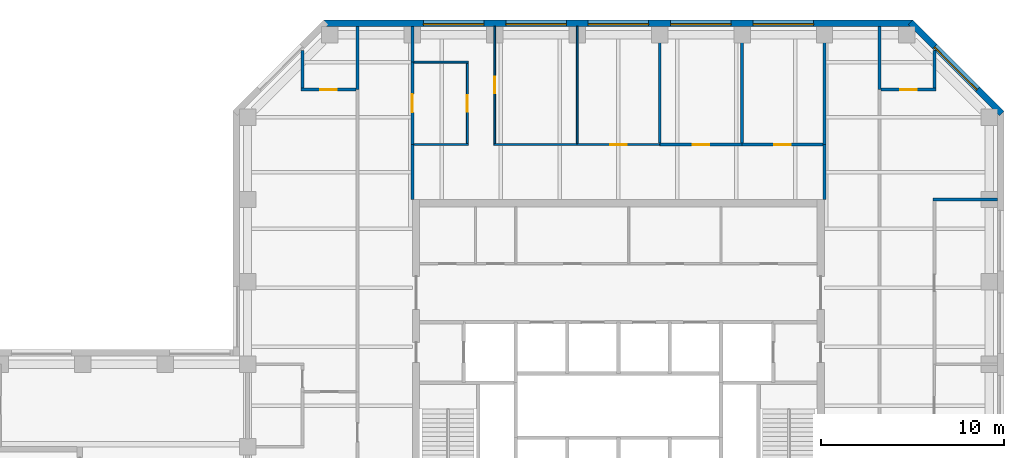
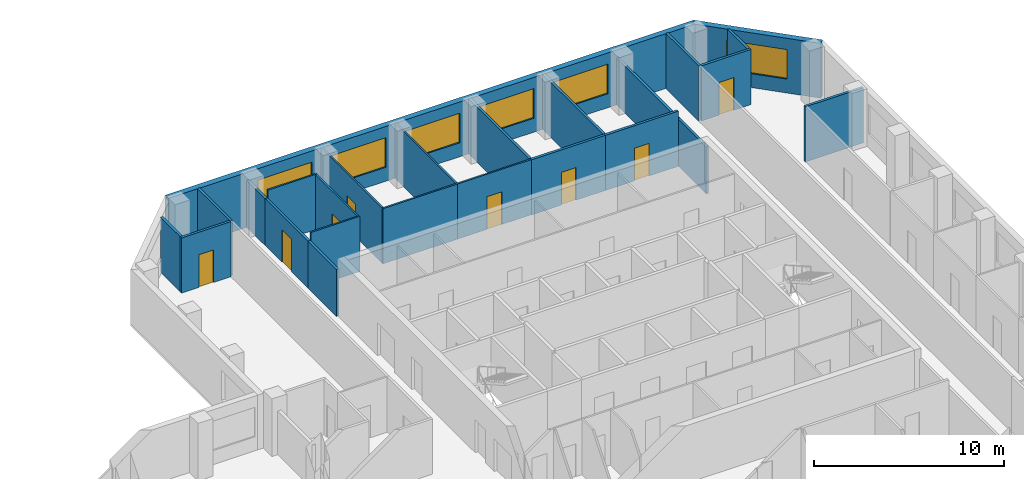
# One storey, part 7 of 9: 25 walls, 8 doors, 6 windows, 14 openings.
"""IFC4 building model written with IfcOpenShell, lengths in metres."""

from ifc_helpers import new_model, si_unit, direction, frame, frame_2d, origin, place, context, subcontext, project, spatial, rectangle, extrude, material, layer, layer_set, constituent, constituent_set, type_object, element, fill, save


model = new_model("IFC4")

# Units and contexts
model_context = context("Model", 3, precision=1e-05, world=origin(), true_north=direction((0.0, 1.0)))
body_context = subcontext(model_context, "Body", "Model", "MODEL_VIEW")
ifc_project = project(units=[si_unit("LENGTHUNIT", "METRE"), si_unit("AREAUNIT", "SQUARE_METRE"), si_unit("VOLUMEUNIT", "CUBIC_METRE"), si_unit("PLANEANGLEUNIT", "RADIAN"), si_unit("MASSUNIT", "GRAM", prefix="KILO")], contexts=[model_context])

# Site, building, storey
site_placement = place(None, origin())
site = spatial("IfcSite", under=ifc_project, at=site_placement, CompositionType="ELEMENT")
building_placement = place(site_placement, origin())
building = spatial("IfcBuilding", under=site, at=building_placement, Name="Quoin Convention Tower", CompositionType="ELEMENT")
storey_placement = place(building_placement, frame((0.0, 0.0, 147.699951171875)))
storey = spatial("IfcBuildingStorey", under=building, at=storey_placement, Name="L38", CompositionType="ELEMENT", Elevation=147.699951171875)

# Wall
ifc_material_1 = material(Name="Plasterboard")
ifc_layer_1 = layer(ifc_material_1, 0.012451171875, Name="Finish")
ifc_material_2 = material(Name="Steel stud framing", Category="steel")
ifc_layer_2 = layer(ifc_material_2, 0.125, Name="Structure")
ifc_layer_3 = layer(ifc_material_1, 0.012451171875, Name="Finish")
ifc_layer_set_1 = layer_set([ifc_layer_1, ifc_layer_2, ifc_layer_3], Name="Steel stud framing")
wall_type_1 = type_object("IfcWallType", Name="Acoustic partition 150", PredefinedType="PARTITIONING", material=ifc_layer_set_1)
wall_1_placement = place(storey_placement, frame((73.425048828125, 72.0, 0.0), z_axis=(0.0, 0.0, 1.0), x_axis=(1.0, 0.0, 0.0)))
element("IfcWall", 1, at=wall_1_placement, inside=storey, type_object=wall_type_1, Name="pw-L38-030", PredefinedType="PARTITIONING", context=body_context, shape_type="SweptSolid", body=[
    extrude(rectangle(XDim=3.52490234375, YDim=0.14990234375, at=frame_2d((1.762451171875, 0.0))), origin(), (0.0, 0.0, 1.0), 3.550048828125),
])

# Wall, opening, door
wall_2_placement = place(storey_placement, frame((58.5, 75.0, 0.0), z_axis=(0.0, 0.0, 1.0), x_axis=(1.0, 0.0, 0.0)))
wall_2 = element("IfcWall", 2, at=wall_2_placement, inside=storey, type_object=wall_type_1, Name="pw-L38-034", PredefinedType="PARTITIONING", context=body_context, shape_type="SweptSolid", body=[
    extrude(rectangle(XDim=4.5, YDim=0.14990234375, at=frame_2d((2.25, 0.0))), origin(), (0.0, 0.0, 1.0), 3.550048828125),
])
opening_1_placement = place(wall_2_placement, frame((1.800048828125, 0.0, 0.0)))
opening_1 = element("IfcOpeningElement", 3, at=opening_1_placement, cuts=wall_2, Name="Opening DOH1-08", PredefinedType="OPENING", context=body_context, shape_type="SweptSolid", body=[
    extrude(rectangle(XDim=0.89990234375, YDim=2.10009765625, at=frame_2d((0.449951171875, 1.050048828125))), frame((0.0, 0.0849609375, 0.0), z_axis=(0.0, -1.0, 0.0), x_axis=(1.0, 0.0, 0.0)), (0.0, 0.0, 1.0), 0.169921875),
])
ifc_material_3 = material(Name="Steel door leaf", Category="steel")
door_type_1 = type_object("IfcDoorType", Name="Office door 900 x 2100", OperationType="SINGLE_SWING_RIGHT", PredefinedType="DOOR", material=ifc_material_3)
door_1_placement = place(opening_1_placement, frame((0.89990234375, 0.0, 0.0), z_axis=(0.0, 0.0, 1.0), x_axis=(-1.0, 0.0, 0.0)))
door_1 = element("IfcDoor", 4, at=door_1_placement, inside=storey, type_object=door_type_1, Name="dr-L38-26", OperationType="SINGLE_SWING_LEFT", OverallHeight=2.10009765625, OverallWidth=0.89990234375, PredefinedType="DOOR", context=body_context, shape_type="SweptSolid", body=[
    extrude(rectangle(XDim=0.89990234375, YDim=2.10009765625, at=frame_2d((0.449951171875, 1.050048828125))), frame((0.0, 0.02490234375, 0.0), z_axis=(0.0, -1.0, 0.0), x_axis=(1.0, 0.0, 0.0)), (0.0, 0.0, 1.0), 0.050048828125),
])
fill(opening_1, door_1)

wall_3_placement = place(storey_placement, frame((63.0, 75.0, 0.0), z_axis=(0.0, 0.0, 1.0), x_axis=(1.0, 0.0, 0.0)))
wall_3 = element("IfcWall", 5, at=wall_3_placement, inside=storey, type_object=wall_type_1, Name="pw-L38-035", PredefinedType="PARTITIONING", context=body_context, shape_type="SweptSolid", body=[
    extrude(rectangle(XDim=4.425048828125, YDim=0.14990234375, at=frame_2d((2.21240234375, 0.0))), origin(), (0.0, 0.0, 1.0), 3.550048828125),
])
opening_2_placement = place(wall_3_placement, frame((1.75, 0.0, 0.0)))
opening_2 = element("IfcOpeningElement", 6, at=opening_2_placement, cuts=wall_3, Name="Opening DOH1-09", PredefinedType="OPENING", context=body_context, shape_type="SweptSolid", body=[
    extrude(rectangle(XDim=0.89990234375, YDim=2.10009765625, at=frame_2d((0.449951171875, 1.050048828125))), frame((0.0, 0.0849609375, 0.0), z_axis=(0.0, -1.0, 0.0), x_axis=(1.0, 0.0, 0.0)), (0.0, 0.0, 1.0), 0.169921875),
])
door_2_placement = place(opening_2_placement, frame((0.89990234375, 0.0, 0.0), z_axis=(0.0, 0.0, 1.0), x_axis=(-1.0, 0.0, 0.0)))
door_2 = element("IfcDoor", 7, at=door_2_placement, inside=storey, type_object=door_type_1, Name="dr-L38-27", OperationType="SINGLE_SWING_LEFT", OverallHeight=2.10009765625, OverallWidth=0.89990234375, PredefinedType="DOOR", context=body_context, shape_type="SweptSolid", body=[
    extrude(rectangle(XDim=0.89990234375, YDim=2.10009765625, at=frame_2d((0.449951171875, 1.050048828125))), frame((0.0, 0.02490234375, 0.0), z_axis=(0.0, -1.0, 0.0), x_axis=(1.0, 0.0, 0.0)), (0.0, 0.0, 1.0), 0.050048828125),
])
fill(opening_2, door_2)

# Walls
for number, where, z_axis, x_axis, name in (
    (8, (58.5, 75.074951171875, 0.0), (0.0, 0.0, 1.0), (0.0, 1.0, 0.0), "pw-L38-085"),
    (9, (63.0, 75.074951171875, 0.0), (0.0, 0.0, 1.0), (0.0, 1.0, 0.0), "pw-L38-086"),
):
    element("IfcWall", number, at=place(storey_placement, frame(where, z_axis=z_axis, x_axis=x_axis)), inside=storey, type_object=wall_type_1, Name=name, PredefinedType="PARTITIONING", context=body_context, shape_type="SweptSolid", body=[
        extrude(rectangle(XDim=6.375, YDim=0.14990234375, at=frame_2d((3.1875, 0.0))), origin(), (0.0, 0.0, 1.0), 3.550048828125),
    ])

# Wall, opening, window
ifc_material_4 = material(Name="Brick masonry", Category="masonry")
ifc_layer_4 = layer(ifc_material_4, 0.35009765625)
ifc_layer_set_2 = layer_set([ifc_layer_4], Name="Brick masonry")
wall_type_2 = type_object("IfcWallType", Name="Brick facade wall", PredefinedType="STANDARD", material=ifc_layer_set_2)
wall_4_placement = place(storey_placement, frame((77.17626953125, 76.70751953125, 0.0), z_axis=(0.0, 0.0, 1.0), x_axis=(-0.707106781187, 0.707106781187, 0.0)))
wall_4 = element("IfcWall", 10, at=wall_4_placement, inside=storey, type_object=wall_type_2, Name="fw-L38-76500_76500", PredefinedType="STANDARD", context=body_context, shape_type="SweptSolid", body=[
    extrude(rectangle(XDim=7.02685546875, YDim=0.35009765625, at=frame_2d((3.513427734375, 0.0))), origin(), (0.0, 0.0, 1.0), 3.525146484375),
])
opening_3_placement = place(wall_4_placement, frame((1.86328125, 0.0, 0.89990234375)))
opening_3 = element("IfcOpeningElement", 11, at=opening_3_placement, cuts=wall_4, Name="Opening W-02", PredefinedType="OPENING", context=body_context, shape_type="SweptSolid", body=[
    extrude(rectangle(XDim=3.300048828125, YDim=1.89990234375, at=frame_2d((1.64990234375, 0.949951171875))), frame((0.0, 0.18505859375, 0.0), z_axis=(0.0, -1.0, 0.0), x_axis=(1.0, 0.0, 0.0)), (0.0, 0.0, 1.0), 0.3701171875),
])
ifc_material_5 = material(Name="Aluminium", Category="aluminium")
ifc_constituent_1 = constituent(ifc_material_5, Name="Frame")
ifc_material_6 = material(Name="Insulated glass", Category="glass")
ifc_constituent_2 = constituent(ifc_material_6, Name="Glazing")
ifc_constituent_set = constituent_set(constituents=[ifc_constituent_1, ifc_constituent_2], Name="Aluminium")
window_type = type_object("IfcWindowType", Name="Office window", PartitioningType="DOUBLE_PANEL_VERTICAL", PredefinedType="WINDOW", material=ifc_constituent_set)
window_1_placement = place(opening_3_placement, origin())
window_1 = element("IfcWindow", 12, at=window_1_placement, inside=storey, type_object=window_type, Name="win-L38-74692_79192", OverallHeight=1.89990234375, OverallWidth=3.300048828125, PartitioningType="SINGLE_PANEL", PredefinedType="WINDOW", context=body_context, shape_type="SweptSolid", body=[
    extrude(rectangle(XDim=3.300048828125, YDim=1.89990234375, at=frame_2d((1.64990234375, 0.949951171875))), frame((0.0, 0.0849609375, 0.0), z_axis=(0.0, -1.0, 0.0), x_axis=(1.0, 0.0, 0.0)), (0.0, 0.0, 1.0), 0.06005859375),
])
fill(opening_3, window_1)

# Wall, openings, windows
wall_5_placement = place(storey_placement, frame((72.331298828125, 81.625, 0.0), z_axis=(0.0, 0.0, 1.0), x_axis=(-1.0, 0.0, 0.0)))
wall_5 = element("IfcWall", 13, at=wall_5_placement, inside=storey, type_object=wall_type_2, Name="fw-L38-72000_81000", PredefinedType="STANDARD", context=body_context, shape_type="SweptSolid", body=[
    extrude(rectangle(XDim=32.16259765625, YDim=0.35009765625, at=frame_2d((16.081298828125, 0.0))), origin(), (0.0, 0.0, 1.0), 3.525146484375),
])
opening_4_placement = place(wall_5_placement, frame((5.431396484375, 0.0, 0.89990234375)))
opening_4 = element("IfcOpeningElement", 14, at=opening_4_placement, cuts=wall_5, Name="Opening W-02", PredefinedType="OPENING", context=body_context, shape_type="SweptSolid", body=[
    extrude(rectangle(XDim=3.300048828125, YDim=1.89990234375, at=frame_2d((1.64990234375, 0.949951171875))), frame((0.0, 0.18505859375, 0.0), z_axis=(0.0, -1.0, 0.0), x_axis=(1.0, 0.0, 0.0)), (0.0, 0.0, 1.0), 0.3701171875),
])
opening_5_placement = place(wall_5_placement, frame((9.931396484375, 0.0, 0.89990234375)))
opening_5 = element("IfcOpeningElement", 15, at=opening_5_placement, cuts=wall_5, Name="Opening W-02", PredefinedType="OPENING", context=body_context, shape_type="SweptSolid", body=[
    extrude(rectangle(XDim=3.300048828125, YDim=1.89990234375, at=frame_2d((1.64990234375, 0.949951171875))), frame((0.0, 0.18505859375, 0.0), z_axis=(0.0, -1.0, 0.0), x_axis=(1.0, 0.0, 0.0)), (0.0, 0.0, 1.0), 0.3701171875),
])
opening_6_placement = place(wall_5_placement, frame((14.431396484375, 0.0, 0.89990234375)))
opening_6 = element("IfcOpeningElement", 16, at=opening_6_placement, cuts=wall_5, Name="Opening W-02", PredefinedType="OPENING", context=body_context, shape_type="SweptSolid", body=[
    extrude(rectangle(XDim=3.300048828125, YDim=1.89990234375, at=frame_2d((1.64990234375, 0.949951171875))), frame((0.0, 0.18505859375, 0.0), z_axis=(0.0, -1.0, 0.0), x_axis=(1.0, 0.0, 0.0)), (0.0, 0.0, 1.0), 0.3701171875),
])
opening_7_placement = place(wall_5_placement, frame((18.931396484375, 0.0, 0.89990234375)))
opening_7 = element("IfcOpeningElement", 17, at=opening_7_placement, cuts=wall_5, Name="Opening W-02", PredefinedType="OPENING", context=body_context, shape_type="SweptSolid", body=[
    extrude(rectangle(XDim=3.300048828125, YDim=1.89990234375, at=frame_2d((1.64990234375, 0.949951171875))), frame((0.0, 0.18505859375, 0.0), z_axis=(0.0, -1.0, 0.0), x_axis=(1.0, 0.0, 0.0)), (0.0, 0.0, 1.0), 0.3701171875),
])
opening_8_placement = place(wall_5_placement, frame((23.431396484375, 0.0, 0.89990234375)))
opening_8 = element("IfcOpeningElement", 18, at=opening_8_placement, cuts=wall_5, Name="Opening W-02", PredefinedType="OPENING", context=body_context, shape_type="SweptSolid", body=[
    extrude(rectangle(XDim=3.300048828125, YDim=1.89990234375, at=frame_2d((1.64990234375, 0.949951171875))), frame((0.0, 0.18505859375, 0.0), z_axis=(0.0, -1.0, 0.0), x_axis=(1.0, 0.0, 0.0)), (0.0, 0.0, 1.0), 0.3701171875),
])
window_2_placement = place(opening_4_placement, origin())
window_2 = element("IfcWindow", 19, at=window_2_placement, inside=storey, type_object=window_type, Name="win-L38-65250_81625", OverallHeight=1.89990234375, OverallWidth=3.300048828125, PartitioningType="SINGLE_PANEL", PredefinedType="WINDOW", context=body_context, shape_type="SweptSolid", body=[
    extrude(rectangle(XDim=3.300048828125, YDim=1.89990234375, at=frame_2d((1.64990234375, 0.949951171875))), frame((0.0, 0.0849609375, 0.0), z_axis=(0.0, -1.0, 0.0), x_axis=(1.0, 0.0, 0.0)), (0.0, 0.0, 1.0), 0.06005859375),
])
fill(opening_4, window_2)
window_3_placement = place(opening_5_placement, origin())
window_3 = element("IfcWindow", 20, at=window_3_placement, inside=storey, type_object=window_type, Name="win-L38-60750_81625", OverallHeight=1.89990234375, OverallWidth=3.300048828125, PartitioningType="SINGLE_PANEL", PredefinedType="WINDOW", context=body_context, shape_type="SweptSolid", body=[
    extrude(rectangle(XDim=3.300048828125, YDim=1.89990234375, at=frame_2d((1.64990234375, 0.949951171875))), frame((0.0, 0.0849609375, 0.0), z_axis=(0.0, -1.0, 0.0), x_axis=(1.0, 0.0, 0.0)), (0.0, 0.0, 1.0), 0.06005859375),
])
fill(opening_5, window_3)
window_4_placement = place(opening_6_placement, origin())
window_4 = element("IfcWindow", 21, at=window_4_placement, inside=storey, type_object=window_type, Name="win-L38-56250_81625", OverallHeight=1.89990234375, OverallWidth=3.300048828125, PartitioningType="SINGLE_PANEL", PredefinedType="WINDOW", context=body_context, shape_type="SweptSolid", body=[
    extrude(rectangle(XDim=3.300048828125, YDim=1.89990234375, at=frame_2d((1.64990234375, 0.949951171875))), frame((0.0, 0.0849609375, 0.0), z_axis=(0.0, -1.0, 0.0), x_axis=(1.0, 0.0, 0.0)), (0.0, 0.0, 1.0), 0.06005859375),
])
fill(opening_6, window_4)
window_5_placement = place(opening_7_placement, origin())
window_5 = element("IfcWindow", 22, at=window_5_placement, inside=storey, type_object=window_type, Name="win-L38-51750_81625", OverallHeight=1.89990234375, OverallWidth=3.300048828125, PartitioningType="SINGLE_PANEL", PredefinedType="WINDOW", context=body_context, shape_type="SweptSolid", body=[
    extrude(rectangle(XDim=3.300048828125, YDim=1.89990234375, at=frame_2d((1.64990234375, 0.949951171875))), frame((0.0, 0.0849609375, 0.0), z_axis=(0.0, -1.0, 0.0), x_axis=(1.0, 0.0, 0.0)), (0.0, 0.0, 1.0), 0.06005859375),
])
fill(opening_7, window_5)
window_6_placement = place(opening_8_placement, origin())
window_6 = element("IfcWindow", 23, at=window_6_placement, inside=storey, type_object=window_type, Name="win-L38-47250_81625", OverallHeight=1.89990234375, OverallWidth=3.300048828125, PartitioningType="SINGLE_PANEL", PredefinedType="WINDOW", context=body_context, shape_type="SweptSolid", body=[
    extrude(rectangle(XDim=3.300048828125, YDim=1.89990234375, at=frame_2d((1.64990234375, 0.949951171875))), frame((0.0, 0.0849609375, 0.0), z_axis=(0.0, -1.0, 0.0), x_axis=(1.0, 0.0, 0.0)), (0.0, 0.0, 1.0), 0.06005859375),
])
fill(opening_8, window_6)

# Walls
ifc_layer_5 = layer(ifc_material_1, 0.012451171875, Name="Finish")
ifc_layer_6 = layer(ifc_material_2, 0.125, Name="Structure")
ifc_layer_7 = layer(ifc_material_1, 0.012451171875, Name="Finish")
ifc_layer_set_3 = layer_set([ifc_layer_5, ifc_layer_6, ifc_layer_7], Name="Steel stud framing")
wall_type_3 = type_object("IfcWallType", Name="Corridor wall 150", PredefinedType="PARTITIONING", material=ifc_layer_set_3)
for number, where, z_axis, x_axis, name in (
    (24, (42.0, 78.0, 0.0), (0.0, 0.0, 1.0), (0.0, 1.0, 0.0), "pw-L38-087"),
    (25, (70.5, 78.0, 0.0), (0.0, 0.0, 1.0), (0.0, 1.0, 0.0), "pw-L38-088"),
):
    element("IfcWall", number, at=place(storey_placement, frame(where, z_axis=z_axis, x_axis=x_axis)), inside=storey, type_object=wall_type_3, Name=name, PredefinedType="PARTITIONING", context=body_context, shape_type="SweptSolid", body=[
        extrude(rectangle(XDim=3.449951171875, YDim=0.14990234375, at=frame_2d((1.72509765625, 0.0))), origin(), (0.0, 0.0, 1.0), 3.550048828125),
    ])
ifc_layer_8 = layer(ifc_material_1, 0.012451171875, Name="Finish")
ifc_layer_9 = layer(ifc_material_2, 0.125, Name="Structure")
ifc_layer_10 = layer(ifc_material_1, 0.012451171875, Name="Finish")
ifc_layer_set_4 = layer_set([ifc_layer_8, ifc_layer_9, ifc_layer_10], Name="Steel stud framing")
wall_type_4 = type_object("IfcWallType", Name="Corridor wall 150 under beam 528", PredefinedType="PARTITIONING", material=ifc_layer_set_4)
for number, where, z_axis, x_axis, name in (
    (26, (45.0, 72.0, 0.0), (0.0, 0.0, 1.0), (0.0, 1.0, 0.0), "pw-L38-078"),
    (27, (67.5, 72.0, 0.0), (0.0, 0.0, 1.0), (0.0, 1.0, 0.0), "pw-L38-079"),
):
    element("IfcWall", number, at=place(storey_placement, frame(where, z_axis=z_axis, x_axis=x_axis)), inside=storey, type_object=wall_type_4, Name=name, PredefinedType="PARTITIONING", context=body_context, shape_type="SweptSolid", body=[
        extrude(rectangle(XDim=3.0, YDim=0.14990234375, at=frame_2d((1.5, 0.0))), origin(), (0.0, 0.0, 1.0), 3.02197265625),
    ])

# Wall, opening, door
wall_6_placement = place(storey_placement, frame((45.0, 75.0, 0.0), z_axis=(0.0, 0.0, 1.0), x_axis=(0.0, 1.0, 0.0)))
wall_6 = element("IfcWall", 28, at=wall_6_placement, inside=storey, type_object=wall_type_4, Name="pw-L38-080", PredefinedType="PARTITIONING", context=body_context, shape_type="SweptSolid", body=[
    extrude(rectangle(XDim=4.5, YDim=0.14990234375, at=frame_2d((2.25, 0.0))), origin(), (0.0, 0.0, 1.0), 3.02197265625),
])
opening_9_placement = place(wall_6_placement, frame((1.75, 0.0, 0.0)))
opening_9 = element("IfcOpeningElement", 29, at=opening_9_placement, cuts=wall_6, Name="Opening DOH1-24", PredefinedType="OPENING", context=body_context, shape_type="SweptSolid", body=[
    extrude(rectangle(XDim=1.0, YDim=2.10009765625, at=frame_2d((0.5, 1.050048828125))), frame((0.0, 0.0849609375, 0.0), z_axis=(0.0, -1.0, 0.0), x_axis=(1.0, 0.0, 0.0)), (0.0, 0.0, 1.0), 0.169921875),
])
door_type_2 = type_object("IfcDoorType", Name="Tenancy entrance door 1000 x 2100", OperationType="DOUBLE_DOOR_SINGLE_SWING", PredefinedType="DOOR", material=ifc_material_3)
door_3_placement = place(opening_9_placement, frame((1.0, 0.0, 0.0), z_axis=(0.0, 0.0, 1.0), x_axis=(-1.0, 0.0, 0.0)))
door_3 = element("IfcDoor", 30, at=door_3_placement, inside=storey, type_object=door_type_2, Name="dr-L38-22", OperationType="DOUBLE_DOOR_SINGLE_SWING", OverallHeight=2.10009765625, OverallWidth=1.0, PredefinedType="DOOR", context=body_context, shape_type="SweptSolid", body=[
    extrude(rectangle(XDim=1.0, YDim=2.10009765625, at=frame_2d((0.5, 1.050048828125))), frame((0.0, 0.02490234375, 0.0), z_axis=(0.0, -1.0, 0.0), x_axis=(1.0, 0.0, 0.0)), (0.0, 0.0, 1.0), 0.050048828125),
])
fill(opening_9, door_3)

# Walls
wall_7_placement = place(storey_placement, frame((67.5, 75.0, 0.0), z_axis=(0.0, 0.0, 1.0), x_axis=(0.0, 1.0, 0.0)))
element("IfcWall", 31, at=wall_7_placement, inside=storey, type_object=wall_type_4, Name="pw-L38-081", PredefinedType="PARTITIONING", context=body_context, shape_type="SweptSolid", body=[
    extrude(rectangle(XDim=6.449951171875, YDim=0.14990234375, at=frame_2d((3.22509765625, 0.0))), origin(), (0.0, 0.0, 1.0), 3.02197265625),
])
wall_8_placement = place(storey_placement, frame((45.0, 79.5, 0.0), z_axis=(0.0, 0.0, 1.0), x_axis=(0.0, 1.0, 0.0)))
element("IfcWall", 32, at=wall_8_placement, inside=storey, type_object=wall_type_4, Name="pw-L38-091", PredefinedType="PARTITIONING", context=body_context, shape_type="SweptSolid", body=[
    extrude(rectangle(XDim=1.949951171875, YDim=0.14990234375, at=frame_2d((0.97509765625, 0.0))), origin(), (0.0, 0.0, 1.0), 3.02197265625),
])
ifc_layer_11 = layer(ifc_material_1, 0.012451171875, Name="Finish")
ifc_layer_12 = layer(ifc_material_2, 0.074951171875, Name="Structure")
ifc_layer_13 = layer(ifc_material_1, 0.012451171875, Name="Finish")
ifc_layer_set_5 = layer_set([ifc_layer_11, ifc_layer_12, ifc_layer_13], Name="Steel stud framing")
wall_type_5 = type_object("IfcWallType", Name="Stud partition 100", PredefinedType="PARTITIONING", material=ifc_layer_set_5)
wall_9_placement = place(storey_placement, frame((45.074951171875, 75.0, 0.0), z_axis=(0.0, 0.0, 1.0), x_axis=(1.0, 0.0, 0.0)))
element("IfcWall", 33, at=wall_9_placement, inside=storey, type_object=wall_type_5, Name="pw-L38-031", PredefinedType="PARTITIONING", context=body_context, shape_type="SweptSolid", body=[
    extrude(rectangle(XDim=2.97509765625, YDim=0.10009765625, at=frame_2d((1.487548828125, 0.0))), origin(), (0.0, 0.0, 1.0), 3.550048828125),
])
wall_10_placement = place(storey_placement, frame((49.449951171875, 75.0, 0.0), z_axis=(0.0, 0.0, 1.0), x_axis=(1.0, 0.0, 0.0)))
element("IfcWall", 34, at=wall_10_placement, inside=storey, type_object=wall_type_5, Name="pw-L38-032", PredefinedType="PARTITIONING", context=body_context, shape_type="SweptSolid", body=[
    extrude(rectangle(XDim=4.550048828125, YDim=0.10009765625, at=frame_2d((2.27490234375, 0.0))), origin(), (0.0, 0.0, 1.0), 3.550048828125),
])

# Wall, opening, door
wall_11_placement = place(storey_placement, frame((54.0, 75.0, 0.0), z_axis=(0.0, 0.0, 1.0), x_axis=(1.0, 0.0, 0.0)))
wall_11 = element("IfcWall", 35, at=wall_11_placement, inside=storey, type_object=wall_type_5, Name="pw-L38-033", PredefinedType="PARTITIONING", context=body_context, shape_type="SweptSolid", body=[
    extrude(rectangle(XDim=4.5, YDim=0.10009765625, at=frame_2d((2.25, 0.0))), origin(), (0.0, 0.0, 1.0), 3.550048828125),
])
opening_10_placement = place(wall_11_placement, frame((1.800048828125, 0.0, 0.0)))
opening_10 = element("IfcOpeningElement", 36, at=opening_10_placement, cuts=wall_11, Name="Opening DOH1-07", PredefinedType="OPENING", context=body_context, shape_type="SweptSolid", body=[
    extrude(rectangle(XDim=0.89990234375, YDim=2.10009765625, at=frame_2d((0.449951171875, 1.050048828125))), frame((0.0, 0.06005859375, 0.0), z_axis=(0.0, -1.0, 0.0), x_axis=(1.0, 0.0, 0.0)), (0.0, 0.0, 1.0), 0.1201171875),
])
door_4_placement = place(opening_10_placement, frame((0.89990234375, 0.0, 0.0), z_axis=(0.0, 0.0, 1.0), x_axis=(-1.0, 0.0, 0.0)))
door_4 = element("IfcDoor", 37, at=door_4_placement, inside=storey, type_object=door_type_1, Name="dr-L38-25", OperationType="SINGLE_SWING_LEFT", OverallHeight=2.10009765625, OverallWidth=0.89990234375, PredefinedType="DOOR", context=body_context, shape_type="SweptSolid", body=[
    extrude(rectangle(XDim=0.89990234375, YDim=2.10009765625, at=frame_2d((0.449951171875, 1.050048828125))), frame((0.0, 0.02490234375, 0.0), z_axis=(0.0, -1.0, 0.0), x_axis=(1.0, 0.0, 0.0)), (0.0, 0.0, 1.0), 0.050048828125),
])
fill(opening_10, door_4)

# Wall
wall_12_placement = place(storey_placement, frame((45.074951171875, 79.5, 0.0), z_axis=(0.0, 0.0, 1.0), x_axis=(1.0, 0.0, 0.0)))
element("IfcWall", 38, at=wall_12_placement, inside=storey, type_object=wall_type_5, Name="pw-L38-038", PredefinedType="PARTITIONING", context=body_context, shape_type="SweptSolid", body=[
    extrude(rectangle(XDim=2.97509765625, YDim=0.10009765625, at=frame_2d((1.487548828125, 0.0))), origin(), (0.0, 0.0, 1.0), 3.550048828125),
])

# Wall, opening, door
wall_13_placement = place(storey_placement, frame((48.0, 75.050048828125, 0.0), z_axis=(0.0, 0.0, 1.0), x_axis=(0.0, 1.0, 0.0)))
wall_13 = element("IfcWall", 39, at=wall_13_placement, inside=storey, type_object=wall_type_5, Name="pw-L38-082", PredefinedType="PARTITIONING", context=body_context, shape_type="SweptSolid", body=[
    extrude(rectangle(XDim=4.39990234375, YDim=0.10009765625, at=frame_2d((2.199951171875, 0.0))), origin(), (0.0, 0.0, 1.0), 3.550048828125),
])
opening_11_placement = place(wall_13_placement, frame((1.75, 0.0, 0.0)))
opening_11 = element("IfcOpeningElement", 40, at=opening_11_placement, cuts=wall_13, Name="Opening DOH1-25", PredefinedType="OPENING", context=body_context, shape_type="SweptSolid", body=[
    extrude(rectangle(XDim=0.89990234375, YDim=2.10009765625, at=frame_2d((0.449951171875, 1.050048828125))), frame((0.0, 0.06005859375, 0.0), z_axis=(0.0, -1.0, 0.0), x_axis=(1.0, 0.0, 0.0)), (0.0, 0.0, 1.0), 0.1201171875),
])
door_5_placement = place(opening_11_placement, frame((0.89990234375, 0.0, 0.0), z_axis=(0.0, 0.0, 1.0), x_axis=(-1.0, 0.0, 0.0)))
door_5 = element("IfcDoor", 41, at=door_5_placement, inside=storey, type_object=door_type_1, Name="dr-L38-23", OperationType="SINGLE_SWING_LEFT", OverallHeight=2.10009765625, OverallWidth=0.89990234375, PredefinedType="DOOR", context=body_context, shape_type="SweptSolid", body=[
    extrude(rectangle(XDim=0.89990234375, YDim=2.10009765625, at=frame_2d((0.449951171875, 1.050048828125))), frame((0.0, 0.02490234375, 0.0), z_axis=(0.0, -1.0, 0.0), x_axis=(1.0, 0.0, 0.0)), (0.0, 0.0, 1.0), 0.050048828125),
])
fill(opening_11, door_5)

wall_14_placement = place(storey_placement, frame((49.5, 75.050048828125, 0.0), z_axis=(0.0, 0.0, 1.0), x_axis=(0.0, 1.0, 0.0)))
wall_14 = element("IfcWall", 42, at=wall_14_placement, inside=storey, type_object=wall_type_5, Name="pw-L38-083", PredefinedType="PARTITIONING", context=body_context, shape_type="SweptSolid", body=[
    extrude(rectangle(XDim=6.39990234375, YDim=0.10009765625, at=frame_2d((3.199951171875, 0.0))), origin(), (0.0, 0.0, 1.0), 3.550048828125),
])
opening_12_placement = place(wall_14_placement, frame((2.75, 0.0, 0.0)))
opening_12 = element("IfcOpeningElement", 43, at=opening_12_placement, cuts=wall_14, Name="Opening DOH1-26", PredefinedType="OPENING", context=body_context, shape_type="SweptSolid", body=[
    extrude(rectangle(XDim=0.89990234375, YDim=2.10009765625, at=frame_2d((0.449951171875, 1.050048828125))), frame((0.0, 0.06005859375, 0.0), z_axis=(0.0, -1.0, 0.0), x_axis=(1.0, 0.0, 0.0)), (0.0, 0.0, 1.0), 0.1201171875),
])
door_6_placement = place(opening_12_placement, origin())
door_6 = element("IfcDoor", 44, at=door_6_placement, inside=storey, type_object=door_type_1, Name="dr-L38-24", OperationType="SINGLE_SWING_RIGHT", OverallHeight=2.10009765625, OverallWidth=0.89990234375, PredefinedType="DOOR", context=body_context, shape_type="SweptSolid", body=[
    extrude(rectangle(XDim=0.89990234375, YDim=2.10009765625, at=frame_2d((0.449951171875, 1.050048828125))), frame((0.0, 0.02490234375, 0.0), z_axis=(0.0, -1.0, 0.0), x_axis=(1.0, 0.0, 0.0)), (0.0, 0.0, 1.0), 0.050048828125),
])
fill(opening_12, door_6)

# Wall
wall_15_placement = place(storey_placement, frame((54.0, 75.050048828125, 0.0), z_axis=(0.0, 0.0, 1.0), x_axis=(0.0, 1.0, 0.0)))
element("IfcWall", 45, at=wall_15_placement, inside=storey, type_object=wall_type_5, Name="pw-L38-084", PredefinedType="PARTITIONING", context=body_context, shape_type="SweptSolid", body=[
    extrude(rectangle(XDim=6.39990234375, YDim=0.10009765625, at=frame_2d((3.199951171875, 0.0))), origin(), (0.0, 0.0, 1.0), 3.550048828125),
])

# Wall, opening, door
ifc_layer_14 = layer(ifc_material_1, 0.012451171875, Name="Finish")
ifc_layer_15 = layer(ifc_material_2, 0.125, Name="Structure")
ifc_layer_16 = layer(ifc_material_1, 0.012451171875, Name="Finish")
ifc_layer_set_6 = layer_set([ifc_layer_14, ifc_layer_15, ifc_layer_16], Name="Steel stud framing")
wall_type_6 = type_object("IfcWallType", Name="Wet area partition 150", PredefinedType="PARTITIONING", material=ifc_layer_set_6)
wall_16_placement = place(storey_placement, frame((38.925048828125, 78.0, 0.0), z_axis=(0.0, 0.0, 1.0), x_axis=(1.0, 0.0, 0.0)))
wall_16 = element("IfcWall", 46, at=wall_16_placement, inside=storey, type_object=wall_type_6, Name="pw-L38-036", PredefinedType="PARTITIONING", context=body_context, shape_type="SweptSolid", body=[
    extrude(rectangle(XDim=3.0, YDim=0.14990234375, at=frame_2d((1.5, 0.0))), origin(), (0.0, 0.0, 1.0), 3.550048828125),
])
opening_13_placement = place(wall_16_placement, frame((1.050048828125, 0.0, 0.0)))
opening_13 = element("IfcOpeningElement", 47, at=opening_13_placement, cuts=wall_16, Name="Opening DOH1-10", PredefinedType="OPENING", context=body_context, shape_type="SweptSolid", body=[
    extrude(rectangle(XDim=0.89990234375, YDim=2.10009765625, at=frame_2d((0.449951171875, 1.050048828125))), frame((0.0, 0.0849609375, 0.0), z_axis=(0.0, -1.0, 0.0), x_axis=(1.0, 0.0, 0.0)), (0.0, 0.0, 1.0), 0.169921875),
])
door_7_placement = place(opening_13_placement, frame((0.89990234375, 0.0, 0.0), z_axis=(0.0, 0.0, 1.0), x_axis=(-1.0, 0.0, 0.0)))
door_7 = element("IfcDoor", 48, at=door_7_placement, inside=storey, type_object=door_type_1, Name="dr-L38-14", OperationType="SINGLE_SWING_LEFT", OverallHeight=2.10009765625, OverallWidth=0.89990234375, PredefinedType="DOOR", context=body_context, shape_type="SweptSolid", body=[
    extrude(rectangle(XDim=0.89990234375, YDim=2.10009765625, at=frame_2d((0.449951171875, 1.050048828125))), frame((0.0, 0.02490234375, 0.0), z_axis=(0.0, -1.0, 0.0), x_axis=(1.0, 0.0, 0.0)), (0.0, 0.0, 1.0), 0.050048828125),
])
fill(opening_13, door_7)

wall_17_placement = place(storey_placement, frame((70.574951171875, 78.0, 0.0), z_axis=(0.0, 0.0, 1.0), x_axis=(1.0, 0.0, 0.0)))
wall_17 = element("IfcWall", 49, at=wall_17_placement, inside=storey, type_object=wall_type_6, Name="pw-L38-037", PredefinedType="PARTITIONING", context=body_context, shape_type="SweptSolid", body=[
    extrude(rectangle(XDim=3.0, YDim=0.14990234375, at=frame_2d((1.5, 0.0))), origin(), (0.0, 0.0, 1.0), 3.550048828125),
])
opening_14_placement = place(wall_17_placement, frame((1.050048828125, 0.0, 0.0)))
opening_14 = element("IfcOpeningElement", 50, at=opening_14_placement, cuts=wall_17, Name="Opening DOH1-11", PredefinedType="OPENING", context=body_context, shape_type="SweptSolid", body=[
    extrude(rectangle(XDim=0.89990234375, YDim=2.10009765625, at=frame_2d((0.449951171875, 1.050048828125))), frame((0.0, 0.0849609375, 0.0), z_axis=(0.0, -1.0, 0.0), x_axis=(1.0, 0.0, 0.0)), (0.0, 0.0, 1.0), 0.169921875),
])
door_8_placement = place(opening_14_placement, frame((0.89990234375, 0.0, 0.0), z_axis=(0.0, 0.0, 1.0), x_axis=(-1.0, 0.0, 0.0)))
door_8 = element("IfcDoor", 51, at=door_8_placement, inside=storey, type_object=door_type_1, Name="dr-L38-34", OperationType="SINGLE_SWING_LEFT", OverallHeight=2.10009765625, OverallWidth=0.89990234375, PredefinedType="DOOR", context=body_context, shape_type="SweptSolid", body=[
    extrude(rectangle(XDim=0.89990234375, YDim=2.10009765625, at=frame_2d((0.449951171875, 1.050048828125))), frame((0.0, 0.02490234375, 0.0), z_axis=(0.0, -1.0, 0.0), x_axis=(1.0, 0.0, 0.0)), (0.0, 0.0, 1.0), 0.050048828125),
])
fill(opening_14, door_8)

# Walls
for number, where, z_axis, x_axis, name in (
    (52, (39.0, 78.074951171875, 0.0), (0.0, 0.0, 1.0), (0.0, 1.0, 0.0), "pw-L38-089"),
    (53, (73.5, 78.074951171875, 0.0), (0.0, 0.0, 1.0), (0.0, 1.0, 0.0), "pw-L38-090"),
):
    element("IfcWall", number, at=place(storey_placement, frame(where, z_axis=z_axis, x_axis=x_axis)), inside=storey, type_object=wall_type_6, Name=name, PredefinedType="PARTITIONING", context=body_context, shape_type="SweptSolid", body=[
        extrude(rectangle(XDim=2.0615234375, YDim=0.14990234375, at=frame_2d((1.03076171875, 0.0))), origin(), (0.0, 0.0, 1.0), 3.550048828125),
    ])

save(model, "model.ifc")
